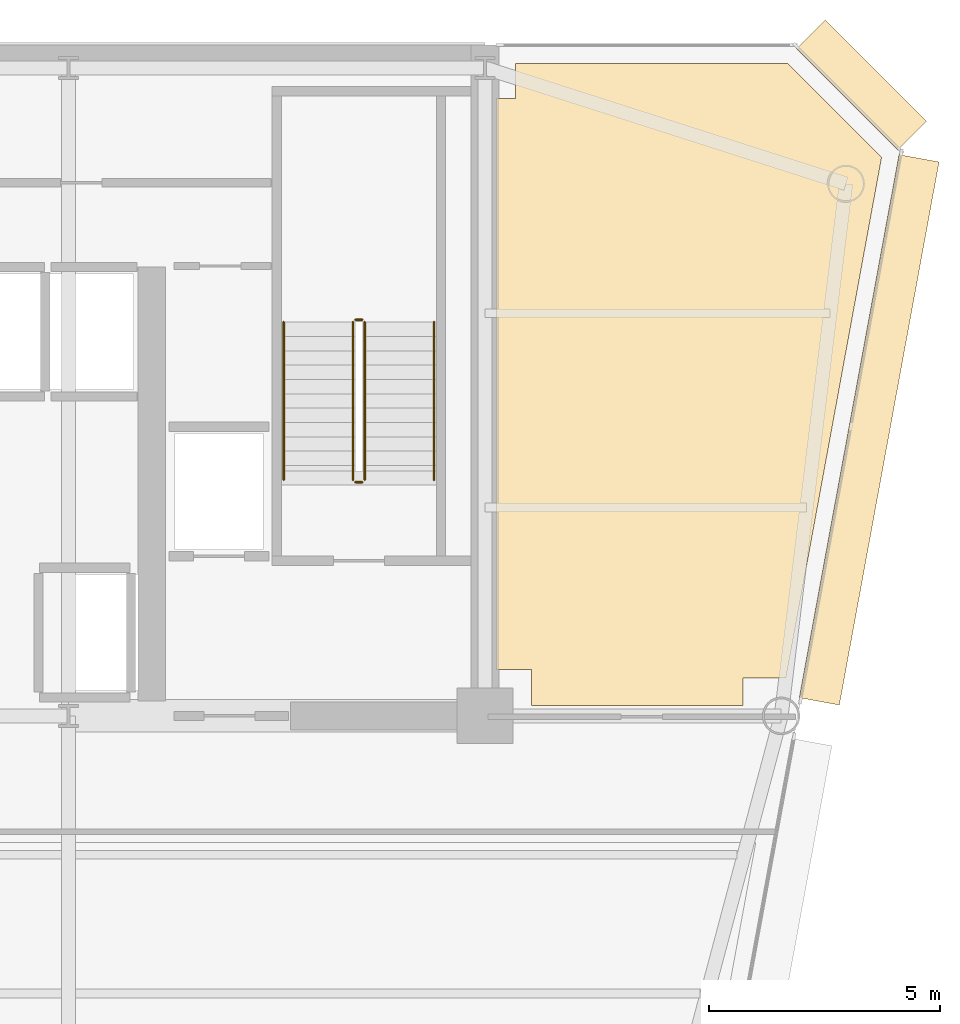
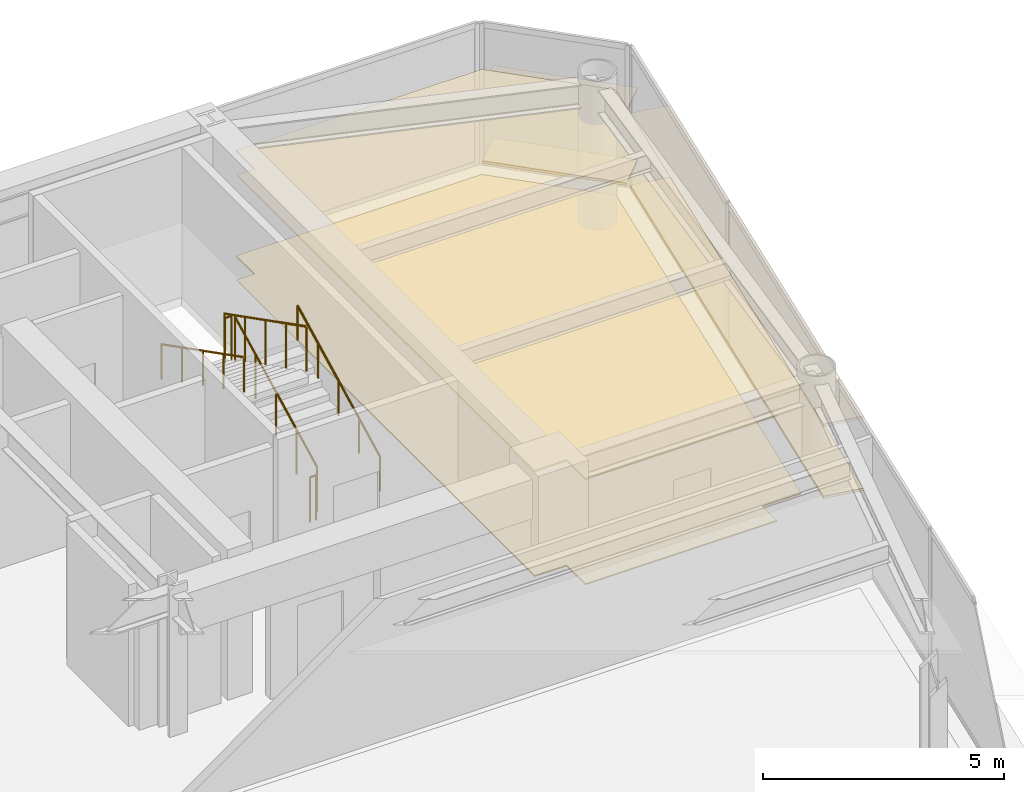
# One storey, part 16 of 16: 6 coverings, 6 railings.
"""IFC4 building model written with IfcOpenShell, lengths in metres."""

from ifc_helpers import new_model, si_unit, direction, frame, origin, origin_2d, place, context, subcontext, project, spatial, polyline, rectangle, circle, outline, extrude, source, transform, mapped, material, layer, layer_set, type_object, element, save


model = new_model("IFC4")

# Units and contexts
model_context = context("Model", 3, precision=1e-05, world=origin(), true_north=direction((0.0, 1.0)))
body_context = subcontext(model_context, "Body", "Model", "MODEL_VIEW")
ifc_project = project(units=[si_unit("LENGTHUNIT", "METRE"), si_unit("AREAUNIT", "SQUARE_METRE"), si_unit("VOLUMEUNIT", "CUBIC_METRE"), si_unit("PLANEANGLEUNIT", "RADIAN"), si_unit("MASSUNIT", "GRAM", prefix="KILO")], contexts=[model_context])

# Site, building, storey
site_placement = place(None, origin())
site = spatial("IfcSite", under=ifc_project, at=site_placement, CompositionType="ELEMENT")
building_placement = place(site_placement, origin())
building = spatial("IfcBuilding", under=site, at=building_placement, Name="Vaeldorn Concourse Tower", CompositionType="ELEMENT")
storey_placement = place(building_placement, frame((0.0, 0.0, 191.800048828125)))
storey = spatial("IfcBuildingStorey", under=building, at=storey_placement, Name="L49", CompositionType="ELEMENT", Elevation=191.800048828125)

# Coverings
ifc_material_1 = material(Name="Acoustic Mineral Fibre Board", Category="gypsum")
ifc_layer_1 = layer(ifc_material_1, 0.0400390625)
ifc_layer_set_1 = layer_set([ifc_layer_1], Name="Acoustic Mineral Fibre Board")
covering_type_1 = type_object("IfcCoveringType", Name="COV-CEIL-ACOUSTIC", PredefinedType="CEILING", material=ifc_layer_set_1)
covering_1_placement = place(storey_placement, frame((0.0, 0.0, 2.64990234375)))
element("IfcCovering", 1, at=covering_1_placement, inside=storey, type_object=covering_type_1, Name="Suspended Acoustic Ceiling L49-4", PredefinedType="CEILING", context=body_context, shape_type="SweptSolid", body=[
    extrude(outline(polyline([(54.659912109375, 49.840087890625), (54.659912109375, 50.60009765625), (60.5341796875, 50.60009765625), (62.568603515625, 48.565673828125), (60.50390625, 37.320068359375), (59.580078125, 37.320068359375), (59.580078125, 36.719970703125), (55.0, 36.719970703125), (55.0, 37.5), (54.239990234375, 37.5), (54.239990234375, 49.840087890625), (54.659912109375, 49.840087890625)])), origin(), (0.0, 0.0, 1.0), 0.0400390625),
])
ifc_material_2 = material(Name="Honed Limestone Terrazzo Flooring", Category="masonry")
ifc_layer_2 = layer(ifc_material_2, 0.0400390625)
ifc_layer_set_2 = layer_set([ifc_layer_2], Name="Honed Limestone Terrazzo Flooring")
covering_type_2 = type_object("IfcCoveringType", Name="COV-FLOOR-STONE", PredefinedType="FLOORING", material=ifc_layer_set_2)
covering_2_placement = place(storey_placement, origin())
element("IfcCovering", 2, at=covering_2_placement, inside=storey, type_object=covering_type_2, Name="Floor Finish Covering L49-4", PredefinedType="FLOORING", context=body_context, shape_type="SweptSolid", body=[
    extrude(outline(polyline([(54.659912109375, 49.840087890625), (54.659912109375, 50.60009765625), (60.5341796875, 50.60009765625), (62.568603515625, 48.565673828125), (60.50390625, 37.320068359375), (59.580078125, 37.320068359375), (59.580078125, 36.719970703125), (55.0, 36.719970703125), (55.0, 37.5), (54.239990234375, 37.5), (54.239990234375, 49.840087890625), (54.659912109375, 49.840087890625)])), origin(), (0.0, 0.0, 1.0), 0.030029296875),
])

# Railings
ifc_material_3 = material(Name="Anodised Bronze Aluminium", Category="aluminium")
railing_type_1 = type_object("IfcRailingType", Name="RL-STAIR-GUARD", PredefinedType="GUARDRAIL", material=ifc_material_3)
railing_1_placement = place(storey_placement, frame((51.39990234375, 41.60009765625, 0.158203125)))
element("IfcRailing", 3, at=railing_1_placement, inside=storey, type_object=railing_type_1, Name="L49 ST-2 stair guard 1", PredefinedType="GUARDRAIL", context=body_context, shape_type="SweptSolid", body=[
    extrude(circle(Radius=0.02392578125, at=origin_2d()), frame((0.0, 0.0, 1.1259765625), z_axis=(0.0, 0.890555807335, 0.454873997962), x_axis=(-1.0, 0.0, 0.0)), (0.0, 0.0, 1.0), 3.828857421875),
    extrude(circle(Radius=0.02099609375, at=origin_2d()), origin(), (0.0, 0.0, 1.0), 1.101806640625),
    extrude(circle(Radius=0.02099609375, at=origin_2d()), frame((0.0, 0.8525390625, 0.435546875)), (0.0, 0.0, 1.0), 1.101806640625),
    extrude(circle(Radius=0.02099609375, at=origin_2d()), frame((0.0, 1.705078125, 0.870849609375)), (0.0, 0.0, 1.0), 1.101806640625),
    extrude(circle(Radius=0.02099609375, at=origin_2d()), frame((0.0, 2.557373046875, 1.30615234375)), (0.0, 0.0, 1.0), 1.101806640625),
    extrude(circle(Radius=0.02099609375, at=origin_2d()), frame((0.0, 3.409912109375, 1.74169921875)), (0.0, 0.0, 1.0), 1.101806640625),
])
railing_2_placement = place(storey_placement, frame((51.35009765625, 45.06005859375, 1.89990234375)))
element("IfcRailing", 4, at=railing_2_placement, inside=storey, type_object=railing_type_1, Name="L49 ST-2 stair guard 2", PredefinedType="GUARDRAIL", context=body_context, shape_type="SweptSolid", body=[
    extrude(circle(Radius=0.02392578125, at=origin_2d()), frame((0.0, 0.0, 1.1259765625), z_axis=(-1.0, 0.0, 0.0), x_axis=(0.0, -1.0, 0.0)), (0.0, 0.0, 1.0), 0.150146484375),
    extrude(circle(Radius=0.02099609375, at=origin_2d()), origin(), (0.0, 0.0, 1.0), 1.101806640625),
    extrude(circle(Radius=0.02099609375, at=origin_2d()), frame((-0.150146484375, 0.0, 0.0)), (0.0, 0.0, 1.0), 1.101806640625),
])
railing_3_placement = place(storey_placement, frame((51.14990234375, 45.010009765625, 2.058349609375)))
element("IfcRailing", 5, at=railing_3_placement, inside=storey, type_object=railing_type_1, Name="L49 ST-2 stair guard 3", PredefinedType="GUARDRAIL", context=body_context, shape_type="SweptSolid", body=[
    extrude(circle(Radius=0.02392578125, at=origin_2d()), frame((0.0, 0.0, 1.1259765625), z_axis=(0.0, -0.890555807335, 0.454873997962), x_axis=(1.0, 0.0, 0.0)), (0.0, 0.0, 1.0), 3.828857421875),
    extrude(circle(Radius=0.02099609375, at=origin_2d()), origin(), (0.0, 0.0, 1.0), 1.101806640625),
    extrude(circle(Radius=0.02099609375, at=origin_2d()), frame((0.0, -0.8525390625, 0.435546875)), (0.0, 0.0, 1.0), 1.101806640625),
    extrude(circle(Radius=0.02099609375, at=origin_2d()), frame((0.0, -1.705078125, 0.870849609375)), (0.0, 0.0, 1.0), 1.101806640625),
    extrude(circle(Radius=0.02099609375, at=origin_2d()), frame((0.0, -2.557373046875, 1.30615234375)), (0.0, 0.0, 1.0), 1.101806640625),
    extrude(circle(Radius=0.02099609375, at=origin_2d()), frame((0.0, -3.409912109375, 1.74169921875)), (0.0, 0.0, 1.0), 1.101806640625),
])
railing_4_placement = place(storey_placement, frame((51.35009765625, 41.550048828125, 0.0)))
element("IfcRailing", 6, at=railing_4_placement, inside=storey, type_object=railing_type_1, Name="L49 ST-2 stair guard 4", PredefinedType="GUARDRAIL", context=body_context, shape_type="SweptSolid", body=[
    extrude(circle(Radius=0.02392578125, at=origin_2d()), frame((0.0, 0.0, 1.1259765625), z_axis=(-1.0, 0.0, 0.0), x_axis=(0.0, -1.0, 0.0)), (0.0, 0.0, 1.0), 0.150146484375),
    extrude(circle(Radius=0.02099609375, at=origin_2d()), origin(), (0.0, 0.0, 1.0), 1.101806640625),
    extrude(circle(Radius=0.02099609375, at=origin_2d()), frame((-0.150146484375, 0.0, 0.0)), (0.0, 0.0, 1.0), 1.101806640625),
])
railing_type_2 = type_object("IfcRailingType", Name="RL-STAIR-HANDRAIL", PredefinedType="HANDRAIL", material=ifc_material_3)
railing_5_placement = place(storey_placement, frame((52.89990234375, 41.60009765625, 0.158203125)))
element("IfcRailing", 7, at=railing_5_placement, inside=storey, type_object=railing_type_2, Name="L49 ST-2 stair handrail 1", PredefinedType="HANDRAIL", context=body_context, shape_type="SweptSolid", body=[
    extrude(circle(Radius=0.02392578125, at=origin_2d()), frame((0.0, 0.0, 0.8759765625), z_axis=(0.0, 0.890555807335, 0.454873997962), x_axis=(-1.0, 0.0, 0.0)), (0.0, 0.0, 1.0), 3.828857421875),
    extrude(circle(Radius=0.02099609375, at=origin_2d()), origin(), (0.0, 0.0, 1.0), 0.851806640625),
    extrude(circle(Radius=0.02099609375, at=origin_2d()), frame((0.0, 0.8525390625, 0.435546875)), (0.0, 0.0, 1.0), 0.851806640625),
    extrude(circle(Radius=0.02099609375, at=origin_2d()), frame((0.0, 1.705078125, 0.870849609375)), (0.0, 0.0, 1.0), 0.851806640625),
    extrude(circle(Radius=0.02099609375, at=origin_2d()), frame((0.0, 2.557373046875, 1.30615234375)), (0.0, 0.0, 1.0), 0.851806640625),
    extrude(circle(Radius=0.02099609375, at=origin_2d()), frame((0.0, 3.409912109375, 1.74169921875)), (0.0, 0.0, 1.0), 0.851806640625),
])
railing_6_placement = place(storey_placement, frame((49.64990234375, 45.010009765625, 2.058349609375)))
element("IfcRailing", 8, at=railing_6_placement, inside=storey, type_object=railing_type_2, Name="L49 ST-2 stair handrail 2", PredefinedType="HANDRAIL", context=body_context, shape_type="SweptSolid", body=[
    extrude(circle(Radius=0.02392578125, at=origin_2d()), frame((0.0, 0.0, 0.8759765625), z_axis=(0.0, -0.890555807335, 0.454873997962), x_axis=(1.0, 0.0, 0.0)), (0.0, 0.0, 1.0), 3.828857421875),
    extrude(circle(Radius=0.02099609375, at=origin_2d()), origin(), (0.0, 0.0, 1.0), 0.851806640625),
    extrude(circle(Radius=0.02099609375, at=origin_2d()), frame((0.0, -0.8525390625, 0.435546875)), (0.0, 0.0, 1.0), 0.851806640625),
    extrude(circle(Radius=0.02099609375, at=origin_2d()), frame((0.0, -1.705078125, 0.870849609375)), (0.0, 0.0, 1.0), 0.851806640625),
    extrude(circle(Radius=0.02099609375, at=origin_2d()), frame((0.0, -2.557373046875, 1.30615234375)), (0.0, 0.0, 1.0), 0.851806640625),
    extrude(circle(Radius=0.02099609375, at=origin_2d()), frame((0.0, -3.409912109375, 1.74169921875)), (0.0, 0.0, 1.0), 0.851806640625),
])

# Coverings
ifc_layer_3 = layer(ifc_material_3, 0.06494140625)
ifc_layer_set_3 = layer_set([ifc_layer_3], Name="Anodised Bronze Aluminium")
covering_type_3 = type_object("IfcCoveringType", Name="SD-BRONZE-SUNSHADE", PredefinedType="USERDEFINED", material=ifc_layer_set_3)
shared_shape_1 = source(origin(), body_context, "Body", "SweptSolid", [
    extrude(rectangle(XDim=3.0927734375, YDim=0.8798828125, at=origin_2d()), origin(), (0.0, 0.0, 1.0), 0.06494140625),
])
for number, where, z_axis, x_axis, name in (
    (9, (62.1328125, 50.1328125, 0.04736328125), (0.0, 0.0, 1.0), (-0.707106781187, 0.707106781187, 0.0), "Horizontal Bronze Sunshade L49-E08.1.1"),
    (10, (62.1328125, 50.1328125, 1.867431640625), (0.0, 0.0, 1.0), (-0.707106781187, 0.707106781187, 0.0), "Horizontal Bronze Sunshade L49-E08.1.2"),
):
    element("IfcCovering", number, at=place(storey_placement, frame(where, z_axis=z_axis, x_axis=x_axis)), inside=storey, type_object=covering_type_3, Name=name, ObjectType="SUNSHADE", PredefinedType="USERDEFINED", context=body_context, shape_type="MappedRepresentation", body=[
        mapped(shared_shape_1, transform((0.0, 0.0, 0.0), scale=1.0)),
    ])
shared_shape_2 = source(origin(), body_context, "Body", "SweptSolid", [
    extrude(rectangle(XDim=11.931396484375, YDim=0.8798828125, at=origin_2d()), origin(), (0.0, 0.0, 1.0), 0.06494140625),
])
for number, where, z_axis, x_axis, name in (
    (11, (62.3017578125, 42.681396484375, 0.04736328125), (0.0, 0.0, 1.0), (0.180587811053, 0.983558865803, 0.0), "Horizontal Bronze Sunshade L49-E07.2.1"),
    (12, (62.3017578125, 42.681396484375, 1.867431640625), (0.0, 0.0, 1.0), (0.180587811053, 0.983558865803, 0.0), "Horizontal Bronze Sunshade L49-E07.2.2"),
):
    element("IfcCovering", number, at=place(storey_placement, frame(where, z_axis=z_axis, x_axis=x_axis)), inside=storey, type_object=covering_type_3, Name=name, ObjectType="SUNSHADE", PredefinedType="USERDEFINED", context=body_context, shape_type="MappedRepresentation", body=[
        mapped(shared_shape_2, transform((0.0, 0.0, 0.0), scale=1.0)),
    ])

save(model, "model.ifc")
